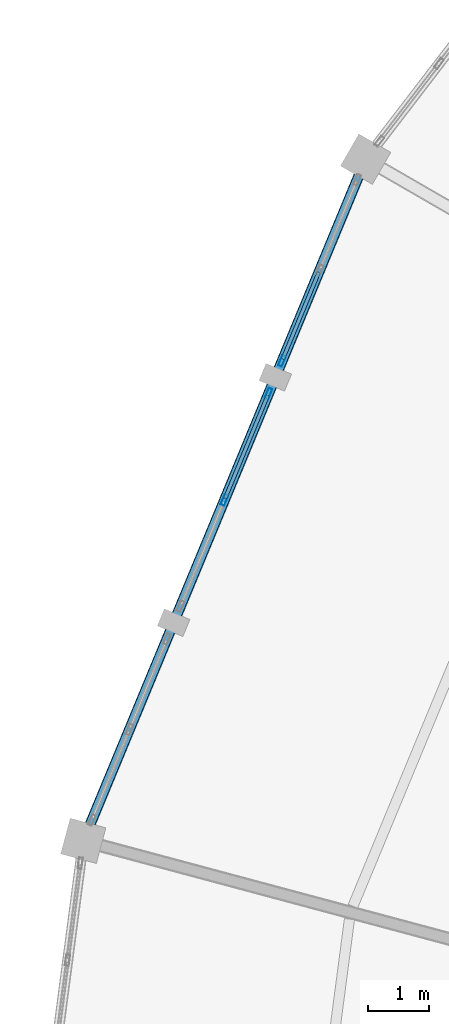
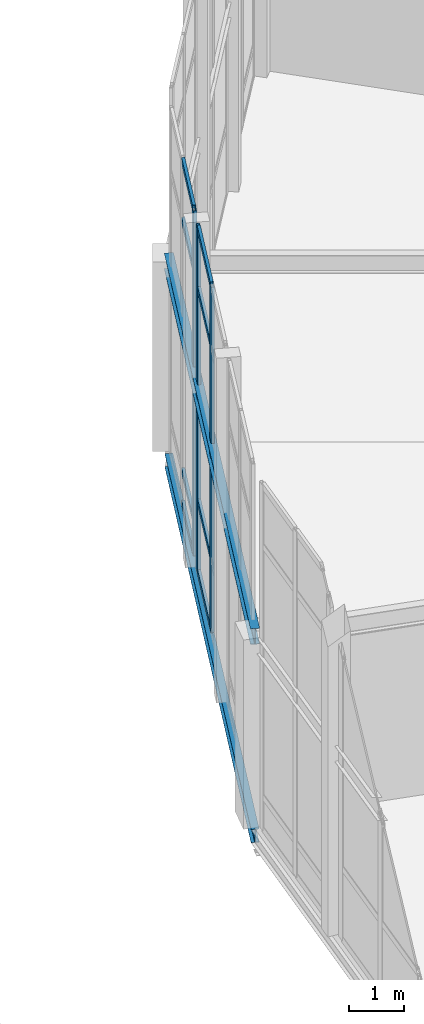
# One storey, part 64 of 200: 11 members, 2 beams, 2 elements without a shape of their own.
"""IFC4 building model written with IfcOpenShell, lengths in metres."""

from ifc_helpers import new_model, si_unit, direction, frame, origin, origin_2d, place, context, subcontext, project, spatial, hollow_rectangle, i_section, extrude, material, material_profile, profile_set, type_object, element, aggregate, save


model = new_model("IFC4")

# Units and contexts
model_context = context("Model", 3, precision=1e-05, world=origin(), true_north=direction((0.0, 1.0)))
body_context = subcontext(model_context, "Body", "Model", "MODEL_VIEW")
ifc_project = project(units=[si_unit("LENGTHUNIT", "METRE"), si_unit("AREAUNIT", "SQUARE_METRE"), si_unit("VOLUMEUNIT", "CUBIC_METRE"), si_unit("PLANEANGLEUNIT", "RADIAN"), si_unit("MASSUNIT", "GRAM", prefix="KILO")], contexts=[model_context])

# Site, building, storey
site_placement = place(None, origin())
site = spatial("IfcSite", under=ifc_project, at=site_placement, CompositionType="ELEMENT")
building_placement = place(site_placement, origin())
building = spatial("IfcBuilding", under=site, at=building_placement, Name="Vondelvale Polytechnic", CompositionType="ELEMENT")
storey_placement = place(building_placement, frame((0.0, 0.0, 13.800048828125)))
storey = spatial("IfcBuildingStorey", under=building, at=storey_placement, Name="L03", CompositionType="ELEMENT", Elevation=13.800048828125)

# Beams
ifc_material_1 = material(Name="Steel 300PLUS (fy = 300 MPa)", Category="steel")
ifc_material_profile_1 = material_profile(ifc_material_1, i_section(OverallWidth=0.14892578125, OverallDepth=0.298095703125, WebThickness=0.005615234375, FlangeThickness=0.008056640625, FilletRadius=0.011474609375, at=origin_2d()), Name="310UB32.0")
ifc_profile_set_1 = profile_set([ifc_material_profile_1], Name="Steel 300PLUS (fy = 300 MPa)")
beam_type_1 = type_object("IfcBeamType", Name="BM-UB310L", PredefinedType="BEAM", material=ifc_profile_set_1)
beam_1_placement = place(storey_placement, frame((62.162841796875, 95.0, -0.399169921875), z_axis=(-0.382688765072, -0.923877323614, 0.0), x_axis=(0.923877323614, -0.382688765072, 0.0)))
element("IfcBeam", 1, at=beam_1_placement, inside=storey, type_object=beam_type_1, Name="L03 RB B-25", PredefinedType="BEAM", context=body_context, shape_type="SweptSolid", body=[
    extrude(i_section(OverallWidth=0.14892578125, OverallDepth=0.298095703125, WebThickness=0.005615234375, FlangeThickness=0.008056640625, FilletRadius=0.011474609375, at=origin_2d()), origin(), (0.0, 0.0, 1.0), 12.00830078125),
])
ifc_material_profile_2 = material_profile(ifc_material_1, i_section(OverallWidth=0.1708984375, OverallDepth=0.35205078125, WebThickness=0.0068359375, FlangeThickness=0.009765625, FilletRadius=0.011474609375, at=origin_2d()), Name="360UB44.7")
ifc_profile_set_2 = profile_set([ifc_material_profile_2], Name="Steel 300PLUS (fy = 300 MPa)")
beam_type_2 = type_object("IfcBeamType", Name="BM-UB360L", PredefinedType="BEAM", material=ifc_profile_set_2)
beam_2_placement = place(storey_placement, frame((62.162841796875, 95.0, 4.02392578125), z_axis=(-0.382688765072, -0.923877323614, 0.0), x_axis=(0.923877323614, -0.382688765072, 0.0)))
element("IfcBeam", 2, at=beam_2_placement, inside=storey, type_object=beam_type_2, Name="L03 RE B-24", PredefinedType="BEAM", context=body_context, shape_type="SweptSolid", body=[
    extrude(i_section(OverallWidth=0.1708984375, OverallDepth=0.35205078125, WebThickness=0.0068359375, FlangeThickness=0.009765625, FilletRadius=0.011474609375, at=origin_2d()), origin(), (0.0, 0.0, 1.0), 12.00830078125),
])

# Curtain wall, member
ifc_material_2 = material(Name="Glulam GL18 structural Tasmanian oak (fb = 42 MPa)", Category="wood")
curtain_wall_type = type_object("IfcCurtainWallType", Name="CW-RING-OUTER", PredefinedType="NOTDEFINED", material=ifc_material_2)
curtain_wall_1_placement = place(storey_placement, origin())
curtain_wall_1 = element("IfcCurtainWall", 3, at=curtain_wall_1_placement, inside=storey, type_object=curtain_wall_type, Name="L03 architectural curtain wall CW-04-238", PredefinedType="NOTDEFINED")
ifc_material_3 = material(Name="Anodised extruded aluminium 6063-T6", Category="aluminium")
ifc_material_profile_3 = material_profile(ifc_material_3, hollow_rectangle(XDim=0.06494140625, YDim=0.179931640625, WallThickness=0.00390625, at=origin_2d()), Name="CW-MUL-180x65")
ifc_profile_set_3 = profile_set([ifc_material_profile_3], Name="Anodised extruded aluminium 6063-T6")
member_type_1 = type_object("IfcMemberType", Name="CW-MUL-65x180", PredefinedType="MULLION", material=ifc_profile_set_3)
member_1_placement = place(storey_placement, frame((60.80224609375, 91.71533203125, 0.0), z_axis=(0.0, 0.0, 1.0), x_axis=(0.923882033442, -0.382677394529, 0.0)))
member_1 = element("IfcMember", 4, at=member_1_placement, type_object=member_type_1, Name="CW-04-238 mullion 3", PredefinedType="MULLION", context=body_context, shape_type="SweptSolid", body=[
    extrude(hollow_rectangle(XDim=0.06494140625, YDim=0.179931640625, WallThickness=0.00390625, at=origin_2d()), origin(), (0.0, 0.0, 1.0), 7.661376953125),
])

# Curtain wall, members
curtain_wall_2_placement = place(storey_placement, origin())
curtain_wall_2 = element("IfcCurtainWall", 5, at=curtain_wall_2_placement, inside=storey, type_object=curtain_wall_type, Name="L03 architectural curtain wall CW-04-239", PredefinedType="NOTDEFINED")
member_2_placement = place(storey_placement, frame((60.582275390625, 91.18408203125, 0.0), z_axis=(0.0, 0.0, 1.0), x_axis=(0.92387490701, -0.382694599123, 0.0)))
member_2 = element("IfcMember", 6, at=member_2_placement, type_object=member_type_1, Name="CW-04-239 mullion 1", PredefinedType="MULLION", context=body_context, shape_type="SweptSolid", body=[
    extrude(hollow_rectangle(XDim=0.06494140625, YDim=0.179931640625, WallThickness=0.00390625, at=origin_2d()), origin(), (0.0, 0.0, 1.0), 7.661376953125),
])
member_3_placement = place(storey_placement, frame((59.864990234375, 89.452880859375, 0.0), z_axis=(0.0, 0.0, 1.0), x_axis=(0.92387490701, -0.382694599123, 0.0)))
member_3 = element("IfcMember", 7, at=member_3_placement, type_object=member_type_1, Name="CW-04-239 mullion 2", PredefinedType="MULLION", context=body_context, shape_type="SweptSolid", body=[
    extrude(hollow_rectangle(XDim=0.06494140625, YDim=0.179931640625, WallThickness=0.00390625, at=origin_2d()), origin(), (0.0, 0.0, 1.0), 7.661376953125),
])

# Member
ifc_material_profile_4 = material_profile(ifc_material_3, hollow_rectangle(XDim=0.06005859375, YDim=0.139892578125, WallThickness=0.00341796875, at=origin_2d()), Name="CW-TRN-140x60")
ifc_profile_set_4 = profile_set([ifc_material_profile_4], Name="Anodised extruded aluminium 6063-T6")
member_type_2 = type_object("IfcMemberType", Name="CW-TRN-60x140", PredefinedType="USERDEFINED", material=ifc_profile_set_4)
member_4_placement = place(storey_placement, frame((61.400146484375, 93.158935546875, 0.030029296875), z_axis=(-0.382643045304, -0.923896260346, 0.0), x_axis=(0.923896260346, -0.382643045304, 0.0)))
member_4 = element("IfcMember", 8, at=member_4_placement, type_object=member_type_2, Name="CW-04-238 transom 2.1", ObjectType="TRANSOM", PredefinedType="USERDEFINED", context=body_context, shape_type="SweptSolid", body=[
    extrude(hollow_rectangle(XDim=0.06005859375, YDim=0.139892578125, WallThickness=0.00341796875, at=origin_2d()), origin(), (0.0, 0.0, 1.0), 1.530029296875),
])

member_5_placement = place(storey_placement, frame((61.400146484375, 93.158935546875, 0.75), z_axis=(-0.382643045304, -0.923896260346, 0.0), x_axis=(0.923896260346, -0.382643045304, 0.0)))
member_5 = element("IfcMember", 9, at=member_5_placement, type_object=member_type_2, Name="CW-04-238 transom 2.2", ObjectType="TRANSOM", PredefinedType="USERDEFINED", context=body_context, shape_type="SweptSolid", body=[
    extrude(hollow_rectangle(XDim=0.06005859375, YDim=0.139892578125, WallThickness=0.00341796875, at=origin_2d()), origin(), (0.0, 0.0, 1.0), 1.530029296875),
])

member_6_placement = place(storey_placement, frame((61.400146484375, 93.158935546875, 6.311279296875), z_axis=(-0.382643045304, -0.923896260346, 0.0), x_axis=(0.923896260346, -0.382643045304, 0.0)))
member_6 = element("IfcMember", 10, at=member_6_placement, type_object=member_type_2, Name="CW-04-238 transom 2.3", ObjectType="TRANSOM", PredefinedType="USERDEFINED", context=body_context, shape_type="SweptSolid", body=[
    extrude(hollow_rectangle(XDim=0.06005859375, YDim=0.139892578125, WallThickness=0.00341796875, at=origin_2d()), origin(), (0.0, 0.0, 1.0), 1.530029296875),
])

member_7_placement = place(storey_placement, frame((61.400146484375, 93.158935546875, 7.63134765625), z_axis=(-0.382643045304, -0.923896260346, 0.0), x_axis=(0.923896260346, -0.382643045304, 0.0)))
member_7 = element("IfcMember", 11, at=member_7_placement, type_object=member_type_2, Name="CW-04-238 transom 2.4", ObjectType="TRANSOM", PredefinedType="USERDEFINED", context=body_context, shape_type="SweptSolid", body=[
    extrude(hollow_rectangle(XDim=0.06005859375, YDim=0.139892578125, WallThickness=0.00341796875, at=origin_2d()), origin(), (0.0, 0.0, 1.0), 1.530029296875),
])

aggregate(curtain_wall_1, [member_1, member_4, member_5, member_6, member_7])

member_8_placement = place(storey_placement, frame((60.56982421875, 91.154052734375, 0.030029296875), z_axis=(-0.382765012338, -0.92384573676, 0.0), x_axis=(0.92384573676, -0.382765012338, 0.0)))
member_8 = element("IfcMember", 12, at=member_8_placement, type_object=member_type_2, Name="CW-04-239 transom 1.1", ObjectType="TRANSOM", PredefinedType="USERDEFINED", context=body_context, shape_type="SweptSolid", body=[
    extrude(hollow_rectangle(XDim=0.06005859375, YDim=0.139892578125, WallThickness=0.00341796875, at=origin_2d()), origin(), (0.0, 0.0, 1.0), 1.808837890625),
])

member_9_placement = place(storey_placement, frame((60.56982421875, 91.154052734375, 1.599853515625), z_axis=(-0.382765012338, -0.92384573676, 0.0), x_axis=(0.92384573676, -0.382765012338, 0.0)))
member_9 = element("IfcMember", 13, at=member_9_placement, type_object=member_type_2, Name="CW-04-239 transom 1.2", ObjectType="TRANSOM", PredefinedType="USERDEFINED", context=body_context, shape_type="SweptSolid", body=[
    extrude(hollow_rectangle(XDim=0.06005859375, YDim=0.139892578125, WallThickness=0.00341796875, at=origin_2d()), origin(), (0.0, 0.0, 1.0), 1.808837890625),
])

member_10_placement = place(storey_placement, frame((60.56982421875, 91.154052734375, 6.311279296875), z_axis=(-0.382765012338, -0.92384573676, 0.0), x_axis=(0.92384573676, -0.382765012338, 0.0)))
member_10 = element("IfcMember", 14, at=member_10_placement, type_object=member_type_2, Name="CW-04-239 transom 1.3", ObjectType="TRANSOM", PredefinedType="USERDEFINED", context=body_context, shape_type="SweptSolid", body=[
    extrude(hollow_rectangle(XDim=0.06005859375, YDim=0.139892578125, WallThickness=0.00341796875, at=origin_2d()), origin(), (0.0, 0.0, 1.0), 1.808837890625),
])

member_11_placement = place(storey_placement, frame((60.56982421875, 91.154052734375, 7.63134765625), z_axis=(-0.382765012338, -0.92384573676, 0.0), x_axis=(0.92384573676, -0.382765012338, 0.0)))
member_11 = element("IfcMember", 15, at=member_11_placement, type_object=member_type_2, Name="CW-04-239 transom 1.4", ObjectType="TRANSOM", PredefinedType="USERDEFINED", context=body_context, shape_type="SweptSolid", body=[
    extrude(hollow_rectangle(XDim=0.06005859375, YDim=0.139892578125, WallThickness=0.00341796875, at=origin_2d()), origin(), (0.0, 0.0, 1.0), 1.808837890625),
])

aggregate(curtain_wall_2, [member_2, member_3, member_8, member_9, member_10, member_11])

save(model, "model.ifc")
